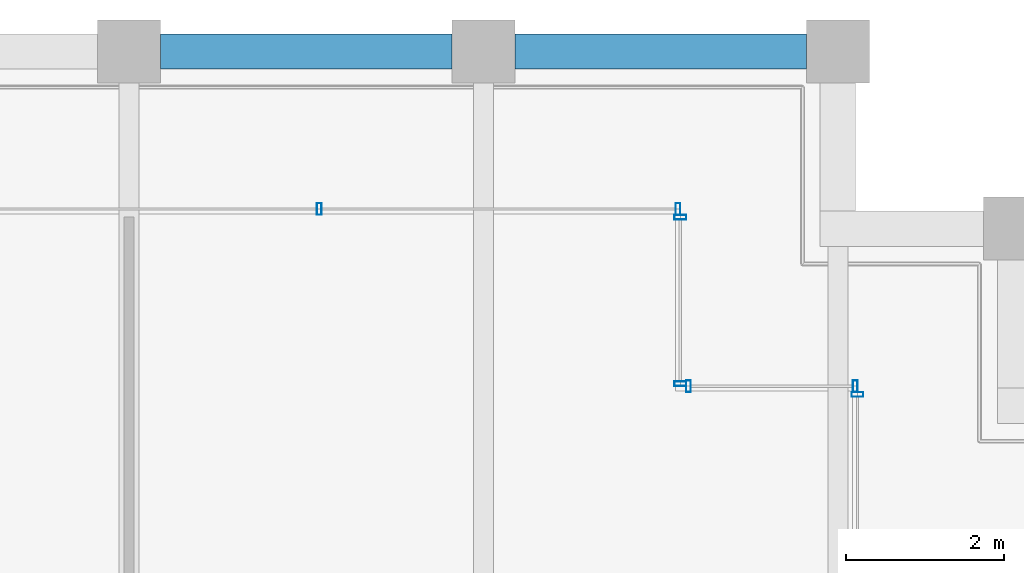
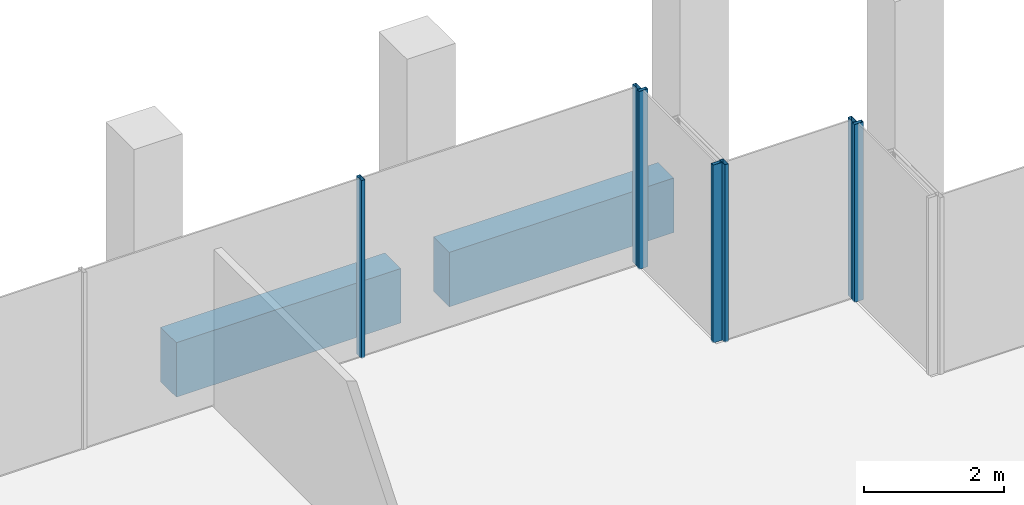
# One storey, part 26 of 30: 7 members, 2 beams, 4 elements without a shape of their own.
"""IFC4 building model written with IfcOpenShell, lengths in metres."""

import ifcopenshell
import ifcopenshell.guid

model = None  # the IFC model being written
_history = None  # IfcOwnerHistory: only IFC2X3 demands one
_inside = {}  # id of a spatial element -> (the spatial element, [elements in it])
_under = {}  # id of a project, library or spatial element -> (it, [spatial elements below it])
_declared = {}  # id of a project -> (the project, [libraries it declares])
_typed = {}  # id of a type object -> (the type object, [elements of that type])
_made_of = {}  # id of a material, layer set ... -> (it, [elements and type objects made of it])


def new_model(schema):
    """Start an empty IFC model of exactly this schema.

    Asked for "IFC4X3", IfcOpenShell would pick the latest addendum, in which some entities
    have other attributes; the version numbers below select the first issue.
    IFC2X3 requires an IfcOwnerHistory on every rooted entity: one is made here for all.
    """
    global model, _history
    if schema == "IFC4X3":
        model = ifcopenshell.file(schema_version=(4, 3, 0, 0))
    else:
        model = ifcopenshell.file(schema=schema)
    _inside.clear()
    _under.clear()
    _declared.clear()
    _typed.clear()
    _made_of.clear()
    _history = None
    if model.schema == "IFC2X3":
        org = make("IfcOrganization", Name="unknown")
        user = make(
            "IfcPersonAndOrganization",
            ThePerson=make("IfcPerson", FamilyName="unknown"),
            TheOrganization=org,
        )
        app = make(
            "IfcApplication",
            ApplicationDeveloper=org,
            Version="unknown",
            ApplicationFullName="unknown",
            ApplicationIdentifier="unknown",
        )
        _history = make(
            "IfcOwnerHistory",
            OwningUser=user,
            OwningApplication=app,
            ChangeAction="ADDED",
            CreationDate=0,
        )
    return model


def make(cls, **values):
    """One entity of the class cls with the attributes given. An attribute that is None is left unset."""
    return model.create_entity(
        cls, **{name: value for name, value in values.items() if value is not None}
    )


def rooted(cls, **values):
    """An entity with a GlobalId (a new one), such as an element, a storey or a relation."""
    return make(cls, GlobalId=ifcopenshell.guid.new(), OwnerHistory=_history, **values)


def si_unit(unit_type, name, prefix=None):
    """IfcSIUnit, for example si_unit("LENGTHUNIT", "METRE", prefix="MILLI")."""
    return make("IfcSIUnit", UnitType=unit_type, Prefix=prefix, Name=name)


def assignment(units):
    """IfcUnitAssignment: the units of a project."""
    return None if units is None else make("IfcUnitAssignment", Units=units)


def point(xyz):
    """IfcCartesianPoint."""
    return None if xyz is None else make("IfcCartesianPoint", Coordinates=xyz)


def direction(xyz):
    """IfcDirection."""
    return None if xyz is None else make("IfcDirection", DirectionRatios=xyz)


def frame(location, z_axis=None, x_axis=None):
    """IfcAxis2Placement3D, a coordinate frame: its origin and axes. An axis left out is left unset."""
    return make(
        "IfcAxis2Placement3D",
        Location=point(location),
        Axis=direction(z_axis),
        RefDirection=direction(x_axis),
    )


def frame_2d(location, x_axis=None):
    """IfcAxis2Placement2D, a coordinate frame in the plane: its origin and x axis."""
    return make(
        "IfcAxis2Placement2D", Location=point(location), RefDirection=direction(x_axis)
    )


def origin():
    """The frame at (0, 0, 0) with its axes left unset."""
    return frame((0.0, 0.0, 0.0))


def origin_2d():
    """The frame at (0, 0) in the plane with its x axis left unset."""
    return frame_2d((0.0, 0.0))


def place(relative_to, where):
    """IfcLocalPlacement: puts the frame where relative to a parent placement (None: the world)."""
    return make(
        "IfcLocalPlacement", PlacementRelTo=relative_to, RelativePlacement=where
    )


def context(
    kind, dimensions, precision=None, world=None, true_north=None, identifier=None
):
    """IfcGeometricRepresentationContext, for example the 3D "Model" context."""
    return make(
        "IfcGeometricRepresentationContext",
        ContextIdentifier=identifier,
        ContextType=kind,
        CoordinateSpaceDimension=dimensions,
        Precision=precision,
        WorldCoordinateSystem=world,
        TrueNorth=true_north,
    )


def subcontext(parent, identifier, kind, view, scale=None):
    """IfcGeometricRepresentationSubContext, for example "Body" below "Model"."""
    return make(
        "IfcGeometricRepresentationSubContext",
        ContextIdentifier=identifier,
        ContextType=kind,
        ParentContext=parent,
        TargetScale=scale,
        TargetView=view,
    )


def project(units=None, contexts=None):
    """IfcProject with its units and contexts."""
    return rooted(
        "IfcProject",
        Name="project",
        RepresentationContexts=contexts,
        UnitsInContext=assignment(units),
    )


def spatial(cls, under=None, at=None, **own):
    """A site, building, storey or space (cls), placed at a placement, below another one or the project."""
    s = rooted(cls, ObjectPlacement=at, **own)
    if under is not None:
        _under.setdefault(under.id(), (under, []))[1].append(s)
    return s


def profile(cls, at=None, kind="AREA", **sizes):
    """A parametric profile (cls). Its sizes go by their IFC names, for example OverallWidth=200.0."""
    return make(cls, ProfileType=kind, Position=at, **sizes)


def rectangle(**sizes):
    """IfcRectangleProfileDef."""
    return profile("IfcRectangleProfileDef", **sizes)


def hollow_rectangle(**sizes):
    """IfcRectangleHollowProfileDef."""
    return profile("IfcRectangleHollowProfileDef", **sizes)


def extrude(swept, where, along, depth):
    """IfcExtrudedAreaSolid: the profile swept, set in the frame where, extruded along a direction by depth."""
    return make(
        "IfcExtrudedAreaSolid",
        SweptArea=swept,
        Position=where,
        ExtrudedDirection=direction(along),
        Depth=depth,
    )


def shape(context_of_items, identifier, shape_type, items):
    """IfcShapeRepresentation: the items that make up one representation, for example the "Body"."""
    return make(
        "IfcShapeRepresentation",
        ContextOfItems=context_of_items,
        RepresentationIdentifier=identifier,
        RepresentationType=shape_type,
        Items=items,
    )


def material(Name=None, Category=None):
    """IfcMaterial."""
    return make("IfcMaterial", Name=Name, Category=Category)


def material_profile(
    of_material, cross_section, Name=None, Category=None, Priority=None
):
    """IfcMaterialProfile: a cross section and its material."""
    return make(
        "IfcMaterialProfile",
        Name=Name,
        Material=of_material,
        Profile=cross_section,
        Priority=Priority,
        Category=Category,
    )


def profile_set(profiles, Name=None, composite=None):
    """IfcMaterialProfileSet."""
    return make(
        "IfcMaterialProfileSet",
        Name=Name,
        MaterialProfiles=profiles,
        CompositeProfile=composite,
    )


def made_of(thing, what):
    """Note that an element or type object is made of a material, layer set ...; save() writes the relation."""
    if what is not None:
        _made_of.setdefault(what.id(), (what, []))[1].append(thing)
    return thing


def type_object(cls, material=None, **own):
    """A type object (cls), such as IfcWallType, which elements share."""
    return made_of(rooted(cls, **own), material)


def element(
    cls,
    number,
    at=None,
    inside=None,
    cuts=None,
    type_object=None,
    material=None,
    context=None,
    identifier="Body",
    shape_type=None,
    held_by="IfcProductDefinitionShape",
    body=None,
    shapes=None,
    **own,
):
    """One element of the class cls, such as IfcWall. Its Tag is "e" and its number.

    at: its placement. inside: the storey or other place that contains it. cuts: it is an
    opening in that element (IfcRelVoidsElement). A single representation is given by context,
    identifier, shape_type and body (its items); several are given by shapes. held_by: the class
    of the entity that holds the representations. save() writes the other relations.
    """
    e = rooted(cls, Tag="e%d" % number, ObjectPlacement=at, **own)
    if body is not None:
        shapes = [shape(context, identifier, shape_type, body)]
    if shapes is not None:
        e.Representation = make(held_by, Representations=shapes)
    if inside is not None:
        _inside.setdefault(inside.id(), (inside, []))[1].append(e)
    if cuts is not None:
        rooted(
            "IfcRelVoidsElement", RelatingBuildingElement=cuts, RelatedOpeningElement=e
        )
    if type_object is not None:
        _typed.setdefault(type_object.id(), (type_object, []))[1].append(e)
    return made_of(e, material)


def aggregate(whole, parts):
    """IfcRelAggregates: a whole, such as a stair, and the parts it consists of."""
    return rooted("IfcRelAggregates", RelatingObject=whole, RelatedObjects=parts)


def save(model, path):
    """Write the relations noted so far, then the file.

    IfcRelAggregates (storeys below a building ...), IfcRelContainedInSpatialStructure (elements
    in a storey), IfcRelDefinesByType, IfcRelAssociatesMaterial and IfcRelDeclares: one each for
    every whole, place, type object, material and project.
    """
    for whole, parts in _under.values():
        aggregate(whole, parts)
    for where, things in _inside.values():
        rooted(
            "IfcRelContainedInSpatialStructure",
            RelatedElements=things,
            RelatingStructure=where,
        )
    for kind, things in _typed.values():
        rooted("IfcRelDefinesByType", RelatedObjects=things, RelatingType=kind)
    for what, things in _made_of.values():
        rooted("IfcRelAssociatesMaterial", RelatedObjects=things, RelatingMaterial=what)
    for by, libraries in _declared.values():
        rooted("IfcRelDeclares", RelatingContext=by, RelatedDefinitions=libraries)
    model.write(path)


model = new_model("IFC4")

# Units and contexts
model_context = context("Model", 3, precision=1e-05, world=origin(), true_north=direction((0.0, 1.0)))
body_context = subcontext(model_context, "Body", "Model", "MODEL_VIEW")
ifc_project = project(units=[si_unit("LENGTHUNIT", "METRE"), si_unit("AREAUNIT", "SQUARE_METRE"), si_unit("VOLUMEUNIT", "CUBIC_METRE"), si_unit("PLANEANGLEUNIT", "RADIAN"), si_unit("MASSUNIT", "GRAM", prefix="KILO")], contexts=[model_context])

# Site, building, storey
site_placement = place(None, origin())
site = spatial("IfcSite", under=ifc_project, at=site_placement, CompositionType="ELEMENT")
building_placement = place(site_placement, origin())
building = spatial("IfcBuilding", under=site, at=building_placement, Name="Altepetl Exchange Towers", CompositionType="ELEMENT")
storey_placement = place(building_placement, frame((0.0, 0.0, 228.0)))
storey = spatial("IfcBuildingStorey", under=building, at=storey_placement, Name="L58", CompositionType="ELEMENT", Elevation=228.0)

# Curtain wall, member
ifc_material_1 = material(Name="Aluminium 6063-T6 glazing", Category="aluminium")
curtain_wall_type = type_object("IfcCurtainWallType", Name="Loggia glazing system", PredefinedType="NOTDEFINED", material=ifc_material_1)
curtain_wall_1_placement = place(storey_placement, origin())
curtain_wall_1 = element("IfcCurtainWall", 1, at=curtain_wall_1_placement, inside=storey, type_object=curtain_wall_type, Name="CW1 run", PredefinedType="NOTDEFINED")
ifc_material_2 = material(Name="Aluminium 6063-T6", Category="aluminium")
ifc_material_profile_1 = material_profile(ifc_material_2, hollow_rectangle(XDim=0.06005859375, YDim=0.14990234375, WallThickness=0.0029296875, at=origin_2d()), Name="Mullion 60x150 aluminium")
ifc_profile_set_1 = profile_set([ifc_material_profile_1], Name="Aluminium 6063-T6")
member_type = type_object("IfcMemberType", Name="Mullion 60x150 aluminium", PredefinedType="MULLION", material=ifc_profile_set_1)
member_1_placement = place(storey_placement, frame((67.75, 67.64501953125, 0.0), z_axis=(0.0, 0.0, 1.0), x_axis=(0.0, 1.0, 0.0)))
member_1 = element("IfcMember", 2, at=member_1_placement, type_object=member_type, Name="MU1 mullion", PredefinedType="MULLION", context=body_context, shape_type="SweptSolid", body=[
    extrude(hollow_rectangle(XDim=0.06005859375, YDim=0.14990234375, WallThickness=0.0029296875, at=origin_2d()), origin(), (0.0, 0.0, 1.0), 3.10009765625),
])
aggregate(curtain_wall_1, [member_1])

# Curtain wall, members
curtain_wall_2_placement = place(storey_placement, origin())
curtain_wall_2 = element("IfcCurtainWall", 3, at=curtain_wall_2_placement, inside=storey, type_object=curtain_wall_type, Name="CW1 run", PredefinedType="NOTDEFINED")
member_2_placement = place(storey_placement, frame((67.719970703125, 67.75, 0.0), z_axis=(0.0, 0.0, 1.0), x_axis=(-1.0, 0.0, 0.0)))
member_2 = element("IfcMember", 4, at=member_2_placement, type_object=member_type, Name="MU1 mullion", PredefinedType="MULLION", context=body_context, shape_type="SweptSolid", body=[
    extrude(hollow_rectangle(XDim=0.06005859375, YDim=0.14990234375, WallThickness=0.0029296875, at=origin_2d()), origin(), (0.0, 0.0, 1.0), 3.10009765625),
])
member_3_placement = place(storey_placement, frame((65.60498046875, 67.75, 0.0), z_axis=(0.0, 0.0, 1.0), x_axis=(-1.0, 0.0, 0.0)))
member_3 = element("IfcMember", 5, at=member_3_placement, type_object=member_type, Name="MU1 mullion", PredefinedType="MULLION", context=body_context, shape_type="SweptSolid", body=[
    extrude(hollow_rectangle(XDim=0.06005859375, YDim=0.14990234375, WallThickness=0.0029296875, at=origin_2d()), origin(), (0.0, 0.0, 1.0), 3.10009765625),
])
aggregate(curtain_wall_2, [member_2, member_3])

curtain_wall_3_placement = place(storey_placement, origin())
curtain_wall_3 = element("IfcCurtainWall", 6, at=curtain_wall_3_placement, inside=storey, type_object=curtain_wall_type, Name="CW1 run", PredefinedType="NOTDEFINED")
member_4_placement = place(storey_placement, frame((65.5, 67.780029296875, 0.0), z_axis=(0.0, 0.0, 1.0), x_axis=(0.0, 1.0, 0.0)))
member_4 = element("IfcMember", 7, at=member_4_placement, type_object=member_type, Name="MU1 mullion", PredefinedType="MULLION", context=body_context, shape_type="SweptSolid", body=[
    extrude(hollow_rectangle(XDim=0.06005859375, YDim=0.14990234375, WallThickness=0.0029296875, at=origin_2d()), origin(), (0.0, 0.0, 1.0), 3.10009765625),
])
member_5_placement = place(storey_placement, frame((65.5, 69.89501953125, 0.0), z_axis=(0.0, 0.0, 1.0), x_axis=(0.0, 1.0, 0.0)))
member_5 = element("IfcMember", 8, at=member_5_placement, type_object=member_type, Name="MU1 mullion", PredefinedType="MULLION", context=body_context, shape_type="SweptSolid", body=[
    extrude(hollow_rectangle(XDim=0.06005859375, YDim=0.14990234375, WallThickness=0.0029296875, at=origin_2d()), origin(), (0.0, 0.0, 1.0), 3.10009765625),
])
aggregate(curtain_wall_3, [member_4, member_5])

curtain_wall_4_placement = place(storey_placement, origin())
curtain_wall_4 = element("IfcCurtainWall", 9, at=curtain_wall_4_placement, inside=storey, type_object=curtain_wall_type, Name="CW1 run", PredefinedType="NOTDEFINED")
member_6_placement = place(storey_placement, frame((65.469970703125, 70.0, 0.0), z_axis=(0.0, 0.0, 1.0), x_axis=(-1.0, 0.0, 0.0)))
member_6 = element("IfcMember", 10, at=member_6_placement, type_object=member_type, Name="MU1 mullion", PredefinedType="MULLION", context=body_context, shape_type="SweptSolid", body=[
    extrude(hollow_rectangle(XDim=0.06005859375, YDim=0.14990234375, WallThickness=0.0029296875, at=origin_2d()), origin(), (0.0, 0.0, 1.0), 3.10009765625),
])
member_7_placement = place(storey_placement, frame((60.9150390625, 70.0, 0.0), z_axis=(0.0, 0.0, 1.0), x_axis=(-1.0, 0.0, 0.0)))
member_7 = element("IfcMember", 11, at=member_7_placement, type_object=member_type, Name="MU1 mullion", PredefinedType="MULLION", context=body_context, shape_type="SweptSolid", body=[
    extrude(hollow_rectangle(XDim=0.06005859375, YDim=0.14990234375, WallThickness=0.0029296875, at=origin_2d()), origin(), (0.0, 0.0, 1.0), 3.10009765625),
])
aggregate(curtain_wall_4, [member_6, member_7])

# Beams
ifc_material_3 = material(Name="Concrete C50/60 precast with cantera rosa facing", Category="concrete")
ifc_material_profile_2 = material_profile(ifc_material_3, rectangle(XDim=0.449951171875, YDim=0.949951171875, at=origin_2d()), Name="450 x 950")
ifc_profile_set_2 = profile_set([ifc_material_profile_2], Name="Concrete C50/60 precast with cantera rosa facing")
beam_type = type_object("IfcBeamType", Name="Spandrel beam 450x950 cantera rosa", PredefinedType="SPANDREL", material=ifc_profile_set_2)
for number, where, z_axis, x_axis, name in (
    (12, (67.10009765625, 72.0, -0.625), (-1.0, 0.0, 0.0), (0.0, -1.0, 0.0), "sp:A:L58:024"),
    (13, (62.60009765625, 72.0, -0.625), (-1.0, 0.0, 0.0), (0.0, -1.0, 0.0), "sp:A:L58:025"),
):
    element("IfcBeam", number, at=place(storey_placement, frame(where, z_axis=z_axis, x_axis=x_axis)), inside=storey, type_object=beam_type, Name=name, PredefinedType="SPANDREL", context=body_context, shape_type="SweptSolid", body=[
        extrude(rectangle(XDim=0.449951171875, YDim=0.949951171875, at=origin_2d()), origin(), (0.0, 0.0, 1.0), 3.7001953125),
    ])

save(model, "model.ifc")
